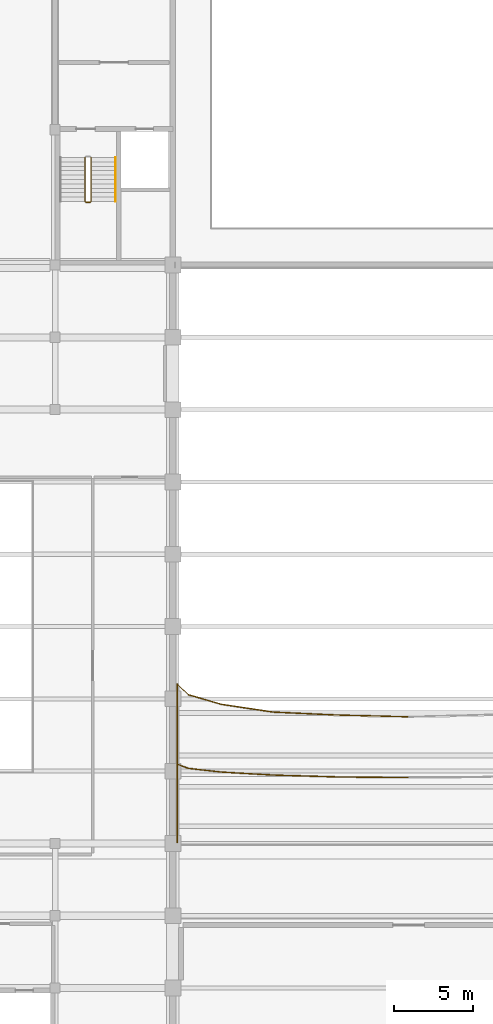
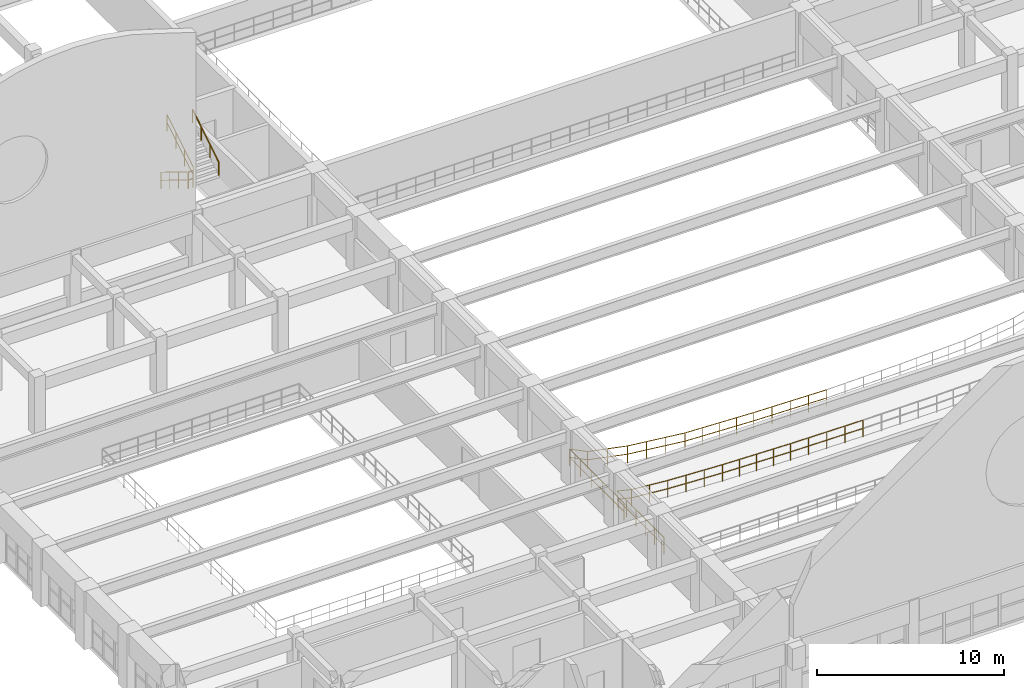
# One storey, part 66 of 74: 16 railings.
"""IFC4 building model written with IfcOpenShell, lengths in metres."""

from ifc_helpers import new_model, si_unit, direction, frame, origin, origin_2d, place, context, subcontext, project, spatial, circle, extrude, material, type_object, element, save


model = new_model("IFC4")

# Units and contexts
model_context = context("Model", 3, precision=1e-05, world=origin(), true_north=direction((0.0, 1.0)))
body_context = subcontext(model_context, "Body", "Model", "MODEL_VIEW")
ifc_project = project(units=[si_unit("LENGTHUNIT", "METRE"), si_unit("AREAUNIT", "SQUARE_METRE"), si_unit("VOLUMEUNIT", "CUBIC_METRE"), si_unit("PLANEANGLEUNIT", "RADIAN"), si_unit("MASSUNIT", "GRAM", prefix="KILO")], contexts=[model_context])

# Site, building, storey
site_placement = place(None, origin())
site = spatial("IfcSite", under=ifc_project, at=site_placement, CompositionType="ELEMENT")
building_placement = place(site_placement, origin())
building = spatial("IfcBuilding", under=site, at=building_placement, Name="Muzn Square Opera House", CompositionType="ELEMENT")
storey_placement = place(building_placement, frame((0.0, 0.0, 14.199951171875)))
storey = spatial("IfcBuildingStorey", under=building, at=storey_placement, Name="L03", CompositionType="ELEMENT", Elevation=14.199951171875)

# Railings
ifc_material_1 = material(Name="Architectural bronze mashrabiya", Category="metal")
railing_type_1 = type_object("IfcRailingType", Name="Bronze Protective Balustrade 1120mm", PredefinedType="BALUSTRADE", material=ifc_material_1)
railing_1_placement = place(storey_placement, frame((87.93994140625, 39.989990234375, 0.719970703125)))
element("IfcRailing", 1, at=railing_1_placement, inside=storey, type_object=railing_type_1, Name="Auditorium Balcony Tier Front Balustrade L03-0149", PredefinedType="BALUSTRADE", context=body_context, shape_type="SweptSolid", body=[
    extrude(circle(Radius=0.02392578125, at=origin_2d()), frame((0.0, 0.0, 1.09619140625), z_axis=(-0.999956517568, 0.009325394042, 0.0), x_axis=(-0.009325394042, -0.999956517568, 0.0)), (0.0, 0.0, 1.0), 4.45068359375),
    extrude(circle(Radius=0.02392578125, at=origin_2d()), frame((0.0, 0.0, 0.56005859375), z_axis=(-0.999956517568, 0.009325394042, 0.0), x_axis=(-0.009325394042, -0.999956517568, 0.0)), (0.0, 0.0, 1.0), 4.45068359375),
    extrude(circle(Radius=0.02099609375, at=origin_2d()), origin(), (0.0, 0.0, 1.0), 1.072021484375),
    extrude(circle(Radius=0.02099609375, at=origin_2d()), frame((-1.112548828125, 0.01025390625, 0.0)), (0.0, 0.0, 1.0), 1.072021484375),
    extrude(circle(Radius=0.02099609375, at=origin_2d()), frame((-2.22509765625, 0.020751953125, 0.0)), (0.0, 0.0, 1.0), 1.072021484375),
    extrude(circle(Radius=0.02099609375, at=origin_2d()), frame((-3.337890625, 0.03125, 0.0)), (0.0, 0.0, 1.0), 1.072021484375),
    extrude(circle(Radius=0.02099609375, at=origin_2d()), frame((-4.450439453125, 0.04150390625, 0.0)), (0.0, 0.0, 1.0), 1.072021484375),
])
railing_2_placement = place(storey_placement, frame((83.489501953125, 40.031494140625, 0.719970703125)))
element("IfcRailing", 2, at=railing_2_placement, inside=storey, type_object=railing_type_1, Name="Auditorium Balcony Tier Front Balustrade L03-0150", PredefinedType="BALUSTRADE", context=body_context, shape_type="SweptSolid", body=[
    extrude(circle(Radius=0.02392578125, at=origin_2d()), frame((0.0, 0.0, 1.09619140625), z_axis=(-0.999570665648, 0.029299904038, 0.0), x_axis=(-0.029299904038, -0.999570665648, 0.0)), (0.0, 0.0, 1.0), 4.12451171875),
    extrude(circle(Radius=0.02392578125, at=origin_2d()), frame((0.0, 0.0, 0.56005859375), z_axis=(-0.999570665648, 0.029299904038, 0.0), x_axis=(-0.029299904038, -0.999570665648, 0.0)), (0.0, 0.0, 1.0), 4.12451171875),
    extrude(circle(Radius=0.02099609375, at=origin_2d()), origin(), (0.0, 0.0, 1.0), 1.072021484375),
    extrude(circle(Radius=0.02099609375, at=origin_2d()), frame((-1.03076171875, 0.0302734375, 0.0)), (0.0, 0.0, 1.0), 1.072021484375),
    extrude(circle(Radius=0.02099609375, at=origin_2d()), frame((-2.0615234375, 0.060546875, 0.0)), (0.0, 0.0, 1.0), 1.072021484375),
    extrude(circle(Radius=0.02099609375, at=origin_2d()), frame((-3.092041015625, 0.090576171875, 0.0)), (0.0, 0.0, 1.0), 1.072021484375),
    extrude(circle(Radius=0.02099609375, at=origin_2d()), frame((-4.122802734375, 0.120849609375, 0.0)), (0.0, 0.0, 1.0), 1.072021484375),
])
railing_3_placement = place(storey_placement, frame((79.36669921875, 40.15234375, 0.719970703125)))
element("IfcRailing", 3, at=railing_3_placement, inside=storey, type_object=railing_type_1, Name="Auditorium Balcony Tier Front Balustrade L03-0151", PredefinedType="BALUSTRADE", context=body_context, shape_type="SweptSolid", body=[
    extrude(circle(Radius=0.02392578125, at=origin_2d()), frame((0.0, 0.0, 1.09619140625), z_axis=(-0.998353832564, 0.057355252636, 0.0), x_axis=(-0.057355252636, -0.998353832564, 0.0)), (0.0, 0.0, 1.0), 3.277587890625),
    extrude(circle(Radius=0.02392578125, at=origin_2d()), frame((0.0, 0.0, 0.56005859375), z_axis=(-0.998353832564, 0.057355252636, 0.0), x_axis=(-0.057355252636, -0.998353832564, 0.0)), (0.0, 0.0, 1.0), 3.277587890625),
    extrude(circle(Radius=0.02099609375, at=origin_2d()), origin(), (0.0, 0.0, 1.0), 1.072021484375),
    extrude(circle(Radius=0.02099609375, at=origin_2d()), frame((-1.0908203125, 0.062744140625, 0.0)), (0.0, 0.0, 1.0), 1.072021484375),
    extrude(circle(Radius=0.02099609375, at=origin_2d()), frame((-2.181396484375, 0.125244140625, 0.0)), (0.0, 0.0, 1.0), 1.072021484375),
    extrude(circle(Radius=0.02099609375, at=origin_2d()), frame((-3.272216796875, 0.18798828125, 0.0)), (0.0, 0.0, 1.0), 1.072021484375),
])
railing_4_placement = place(storey_placement, frame((76.094482421875, 40.34033203125, 0.719970703125)))
element("IfcRailing", 4, at=railing_4_placement, inside=storey, type_object=railing_type_1, Name="Auditorium Balcony Tier Front Balustrade L03-0152", PredefinedType="BALUSTRADE", context=body_context, shape_type="SweptSolid", body=[
    extrude(circle(Radius=0.02392578125, at=origin_2d()), frame((0.0, 0.0, 1.09619140625), z_axis=(-0.993692122403, 0.112142614, 0.0), x_axis=(-0.112142614, -0.993692122403, 0.0)), (0.0, 0.0, 1.0), 2.114013671875),
    extrude(circle(Radius=0.02392578125, at=origin_2d()), frame((0.0, 0.0, 0.56005859375), z_axis=(-0.993692122403, 0.112142614, 0.0), x_axis=(-0.112142614, -0.993692122403, 0.0)), (0.0, 0.0, 1.0), 2.114013671875),
    extrude(circle(Radius=0.02099609375, at=origin_2d()), origin(), (0.0, 0.0, 1.0), 1.072021484375),
    extrude(circle(Radius=0.02099609375, at=origin_2d()), frame((-1.05029296875, 0.11865234375, 0.0)), (0.0, 0.0, 1.0), 1.072021484375),
    extrude(circle(Radius=0.02099609375, at=origin_2d()), frame((-2.1005859375, 0.237060546875, 0.0)), (0.0, 0.0, 1.0), 1.072021484375),
])
railing_5_placement = place(storey_placement, frame((73.993896484375, 40.577392578125, 0.719970703125)))
element("IfcRailing", 5, at=railing_5_placement, inside=storey, type_object=railing_type_1, Name="Auditorium Balcony Tier Front Balustrade L03-0153", PredefinedType="BALUSTRADE", context=body_context, shape_type="SweptSolid", body=[
    extrude(circle(Radius=0.02392578125, at=origin_2d()), frame((0.0, 0.0, 1.09619140625), z_axis=(-0.940015382387, 0.341132057824, 0.0), x_axis=(-0.341132057824, -0.940015382387, 0.0)), (0.0, 0.0, 1.0), 0.77001953125),
    extrude(circle(Radius=0.02392578125, at=origin_2d()), frame((0.0, 0.0, 0.56005859375), z_axis=(-0.940015382387, 0.341132057824, 0.0), x_axis=(-0.341132057824, -0.940015382387, 0.0)), (0.0, 0.0, 1.0), 0.77001953125),
    extrude(circle(Radius=0.02099609375, at=origin_2d()), origin(), (0.0, 0.0, 1.0), 1.072021484375),
    extrude(circle(Radius=0.02099609375, at=origin_2d()), frame((-0.723876953125, 0.2626953125, 0.0)), (0.0, 0.0, 1.0), 1.072021484375),
])
railing_6_placement = place(storey_placement, frame((73.27001953125, 40.840087890625, 0.719970703125)))
element("IfcRailing", 6, at=railing_6_placement, inside=storey, type_object=railing_type_1, Name="Auditorium Balcony Tier Front Balustrade L03-0154", PredefinedType="BALUSTRADE", context=body_context, shape_type="SweptSolid", body=[
    extrude(circle(Radius=0.02392578125, at=origin_2d()), frame((0.0, 0.0, 1.09619140625), z_axis=(0.0, -1.0, 0.0), x_axis=(1.0, 0.0, 0.0)), (0.0, 0.0, 1.0), 4.97998046875),
    extrude(circle(Radius=0.02392578125, at=origin_2d()), frame((0.0, 0.0, 0.56005859375), z_axis=(0.0, -1.0, 0.0), x_axis=(1.0, 0.0, 0.0)), (0.0, 0.0, 1.0), 4.97998046875),
    extrude(circle(Radius=0.02099609375, at=origin_2d()), origin(), (0.0, 0.0, 1.0), 1.072021484375),
    extrude(circle(Radius=0.02099609375, at=origin_2d()), frame((0.0, -0.99609375, 0.0)), (0.0, 0.0, 1.0), 1.072021484375),
    extrude(circle(Radius=0.02099609375, at=origin_2d()), frame((0.0, -1.991943359375, 0.0)), (0.0, 0.0, 1.0), 1.072021484375),
    extrude(circle(Radius=0.02099609375, at=origin_2d()), frame((0.0, -2.988037109375, 0.0)), (0.0, 0.0, 1.0), 1.072021484375),
    extrude(circle(Radius=0.02099609375, at=origin_2d()), frame((0.0, -3.98388671875, 0.0)), (0.0, 0.0, 1.0), 1.072021484375),
    extrude(circle(Radius=0.02099609375, at=origin_2d()), frame((0.0, -4.97998046875, 0.0)), (0.0, 0.0, 1.0), 1.072021484375),
])
railing_7_placement = place(storey_placement, frame((87.93994140625, 43.860107421875, 0.360107421875)))
element("IfcRailing", 7, at=railing_7_placement, inside=storey, type_object=railing_type_1, Name="Auditorium Balcony Tier Front Balustrade L03-0161", PredefinedType="BALUSTRADE", context=body_context, shape_type="SweptSolid", body=[
    extrude(circle(Radius=0.02392578125, at=origin_2d()), frame((0.0, 0.0, 1.09619140625), z_axis=(-0.999707496604, 0.024185144879, 0.0), x_axis=(-0.024185144879, -0.999707496604, 0.0)), (0.0, 0.0, 1.0), 4.45166015625),
    extrude(circle(Radius=0.02392578125, at=origin_2d()), frame((0.0, 0.0, 0.56005859375), z_axis=(-0.999707496604, 0.024185144879, 0.0), x_axis=(-0.024185144879, -0.999707496604, 0.0)), (0.0, 0.0, 1.0), 4.45166015625),
    extrude(circle(Radius=0.02099609375, at=origin_2d()), origin(), (0.0, 0.0, 1.0), 1.072021484375),
    extrude(circle(Radius=0.02099609375, at=origin_2d()), frame((-1.112548828125, 0.02685546875, 0.0)), (0.0, 0.0, 1.0), 1.072021484375),
    extrude(circle(Radius=0.02099609375, at=origin_2d()), frame((-2.22509765625, 0.0537109375, 0.0)), (0.0, 0.0, 1.0), 1.072021484375),
    extrude(circle(Radius=0.02099609375, at=origin_2d()), frame((-3.337890625, 0.080810546875, 0.0)), (0.0, 0.0, 1.0), 1.072021484375),
    extrude(circle(Radius=0.02099609375, at=origin_2d()), frame((-4.450439453125, 0.107666015625, 0.0)), (0.0, 0.0, 1.0), 1.072021484375),
])
railing_8_placement = place(storey_placement, frame((83.489501953125, 43.9677734375, 0.360107421875)))
element("IfcRailing", 8, at=railing_8_placement, inside=storey, type_object=railing_type_1, Name="Auditorium Balcony Tier Front Balustrade L03-0162", PredefinedType="BALUSTRADE", context=body_context, shape_type="SweptSolid", body=[
    extrude(circle(Radius=0.02392578125, at=origin_2d()), frame((0.0, 0.0, 1.09619140625), z_axis=(-0.99891305167, 0.046612393244, 0.0), x_axis=(-0.046612393244, -0.99891305167, 0.0)), (0.0, 0.0, 1.0), 4.127197265625),
    extrude(circle(Radius=0.02392578125, at=origin_2d()), frame((0.0, 0.0, 0.56005859375), z_axis=(-0.99891305167, 0.046612393244, 0.0), x_axis=(-0.046612393244, -0.99891305167, 0.0)), (0.0, 0.0, 1.0), 4.127197265625),
    extrude(circle(Radius=0.02099609375, at=origin_2d()), origin(), (0.0, 0.0, 1.0), 1.072021484375),
    extrude(circle(Radius=0.02099609375, at=origin_2d()), frame((-1.03076171875, 0.048095703125, 0.0)), (0.0, 0.0, 1.0), 1.072021484375),
    extrude(circle(Radius=0.02099609375, at=origin_2d()), frame((-2.0615234375, 0.09619140625, 0.0)), (0.0, 0.0, 1.0), 1.072021484375),
    extrude(circle(Radius=0.02099609375, at=origin_2d()), frame((-3.092041015625, 0.144287109375, 0.0)), (0.0, 0.0, 1.0), 1.072021484375),
    extrude(circle(Radius=0.02099609375, at=origin_2d()), frame((-4.122802734375, 0.1923828125, 0.0)), (0.0, 0.0, 1.0), 1.072021484375),
])
railing_9_placement = place(storey_placement, frame((79.36669921875, 44.16015625, 0.360107421875)))
element("IfcRailing", 9, at=railing_9_placement, inside=storey, type_object=railing_type_1, Name="Auditorium Balcony Tier Front Balustrade L03-0163", PredefinedType="BALUSTRADE", context=body_context, shape_type="SweptSolid", body=[
    extrude(circle(Radius=0.02392578125, at=origin_2d()), frame((0.0, 0.0, 1.09619140625), z_axis=(-0.989113729581, 0.147153083398, 0.0), x_axis=(-0.147153083398, -0.989113729581, 0.0)), (0.0, 0.0, 1.0), 3.308349609375),
    extrude(circle(Radius=0.02392578125, at=origin_2d()), frame((0.0, 0.0, 0.56005859375), z_axis=(-0.989113729581, 0.147153083398, 0.0), x_axis=(-0.147153083398, -0.989113729581, 0.0)), (0.0, 0.0, 1.0), 3.308349609375),
    extrude(circle(Radius=0.02099609375, at=origin_2d()), origin(), (0.0, 0.0, 1.0), 1.072021484375),
    extrude(circle(Radius=0.02099609375, at=origin_2d()), frame((-1.0908203125, 0.162353515625, 0.0)), (0.0, 0.0, 1.0), 1.072021484375),
    extrude(circle(Radius=0.02099609375, at=origin_2d()), frame((-2.181396484375, 0.324462890625, 0.0)), (0.0, 0.0, 1.0), 1.072021484375),
    extrude(circle(Radius=0.02099609375, at=origin_2d()), frame((-3.272216796875, 0.48681640625, 0.0)), (0.0, 0.0, 1.0), 1.072021484375),
])
railing_10_placement = place(storey_placement, frame((76.094482421875, 44.64697265625, 0.360107421875)))
element("IfcRailing", 10, at=railing_10_placement, inside=storey, type_object=railing_type_1, Name="Auditorium Balcony Tier Front Balustrade L03-0164", PredefinedType="BALUSTRADE", context=body_context, shape_type="SweptSolid", body=[
    extrude(circle(Radius=0.02392578125, at=origin_2d()), frame((0.0, 0.0, 1.09619140625), z_axis=(-0.959924992365, 0.280257041007, 0.0), x_axis=(-0.280257041007, -0.959924992365, 0.0)), (0.0, 0.0, 1.0), 2.188232421875),
    extrude(circle(Radius=0.02392578125, at=origin_2d()), frame((0.0, 0.0, 0.56005859375), z_axis=(-0.959924992365, 0.280257041007, 0.0), x_axis=(-0.280257041007, -0.959924992365, 0.0)), (0.0, 0.0, 1.0), 2.188232421875),
    extrude(circle(Radius=0.02099609375, at=origin_2d()), origin(), (0.0, 0.0, 1.0), 1.072021484375),
    extrude(circle(Radius=0.02099609375, at=origin_2d()), frame((-1.05029296875, 0.306640625, 0.0)), (0.0, 0.0, 1.0), 1.072021484375),
    extrude(circle(Radius=0.02099609375, at=origin_2d()), frame((-2.1005859375, 0.61328125, 0.0)), (0.0, 0.0, 1.0), 1.072021484375),
])
railing_11_placement = place(storey_placement, frame((73.993896484375, 45.26025390625, 0.360107421875)))
element("IfcRailing", 11, at=railing_11_placement, inside=storey, type_object=railing_type_1, Name="Auditorium Balcony Tier Front Balustrade L03-0165", PredefinedType="BALUSTRADE", context=body_context, shape_type="SweptSolid", body=[
    extrude(circle(Radius=0.02392578125, at=origin_2d()), frame((0.0, 0.0, 1.09619140625), z_axis=(-0.729007928433, 0.684505252195, 0.0), x_axis=(-0.684505252195, -0.729007928433, 0.0)), (0.0, 0.0, 1.0), 0.992919921875),
    extrude(circle(Radius=0.02392578125, at=origin_2d()), frame((0.0, 0.0, 0.56005859375), z_axis=(-0.729007928433, 0.684505252195, 0.0), x_axis=(-0.684505252195, -0.729007928433, 0.0)), (0.0, 0.0, 1.0), 0.992919921875),
    extrude(circle(Radius=0.02099609375, at=origin_2d()), origin(), (0.0, 0.0, 1.0), 1.072021484375),
    extrude(circle(Radius=0.02099609375, at=origin_2d()), frame((-0.723876953125, 0.6796875, 0.0)), (0.0, 0.0, 1.0), 1.072021484375),
])
railing_12_placement = place(storey_placement, frame((73.27001953125, 45.93994140625, 0.360107421875)))
element("IfcRailing", 12, at=railing_12_placement, inside=storey, type_object=railing_type_1, Name="Auditorium Balcony Tier Front Balustrade L03-0166", PredefinedType="BALUSTRADE", context=body_context, shape_type="SweptSolid", body=[
    extrude(circle(Radius=0.02392578125, at=origin_2d()), frame((0.0, 0.0, 1.09619140625), z_axis=(0.0, -1.0, 0.0), x_axis=(1.0, 0.0, 0.0)), (0.0, 0.0, 1.0), 5.829833984375),
    extrude(circle(Radius=0.02392578125, at=origin_2d()), frame((0.0, 0.0, 0.56005859375), z_axis=(0.0, -1.0, 0.0), x_axis=(1.0, 0.0, 0.0)), (0.0, 0.0, 1.0), 5.829833984375),
    extrude(circle(Radius=0.02099609375, at=origin_2d()), origin(), (0.0, 0.0, 1.0), 1.072021484375),
    extrude(circle(Radius=0.02099609375, at=origin_2d()), frame((0.0, -1.166015625, 0.0)), (0.0, 0.0, 1.0), 1.072021484375),
    extrude(circle(Radius=0.02099609375, at=origin_2d()), frame((0.0, -2.33203125, 0.0)), (0.0, 0.0, 1.0), 1.072021484375),
    extrude(circle(Radius=0.02099609375, at=origin_2d()), frame((0.0, -3.497802734375, 0.0)), (0.0, 0.0, 1.0), 1.072021484375),
    extrude(circle(Radius=0.02099609375, at=origin_2d()), frame((0.0, -4.663818359375, 0.0)), (0.0, 0.0, 1.0), 1.072021484375),
    extrude(circle(Radius=0.02099609375, at=origin_2d()), frame((0.0, -5.829833984375, 0.0)), (0.0, 0.0, 1.0), 1.072021484375),
])
ifc_material_2 = material(Name="Brushed stainless steel", Category="metal")
railing_type_2 = type_object("IfcRailingType", Name="Stair Guard Railing 1120mm", PredefinedType="GUARDRAIL", material=ifc_material_2)
railing_13_placement = place(storey_placement, frame((67.409912109375, 79.43994140625, 0.1728515625)))
element("IfcRailing", 13, at=railing_13_placement, inside=storey, type_object=railing_type_2, Name="L03 ST-1 stair guard 1", PredefinedType="GUARDRAIL", context=body_context, shape_type="SweptSolid", body=[
    extrude(circle(Radius=0.02392578125, at=origin_2d()), frame((0.0, 0.0, 1.076171875), z_axis=(0.0, -0.851089632645, 0.525020415988), x_axis=(1.0, 0.0, 0.0)), (0.0, 0.0, 1.0), 3.2900390625),
    extrude(circle(Radius=0.02392578125, at=origin_2d()), frame((0.0, 0.0, 0.550048828125), z_axis=(0.0, -0.851089632645, 0.525020415988), x_axis=(1.0, 0.0, 0.0)), (0.0, 0.0, 1.0), 3.2900390625),
    extrude(circle(Radius=0.02099609375, at=origin_2d()), origin(), (0.0, 0.0, 1.0), 1.052001953125),
    extrude(circle(Radius=0.02099609375, at=origin_2d()), frame((0.0, -0.933349609375, 0.57568359375)), (0.0, 0.0, 1.0), 1.052001953125),
    extrude(circle(Radius=0.02099609375, at=origin_2d()), frame((0.0, -1.86669921875, 1.151611328125)), (0.0, 0.0, 1.0), 1.052001953125),
    extrude(circle(Radius=0.02099609375, at=origin_2d()), frame((0.0, -2.800048828125, 1.727294921875)), (0.0, 0.0, 1.0), 1.052001953125),
])
railing_14_placement = place(storey_placement, frame((67.4599609375, 76.590087890625, 1.900146484375)))
element("IfcRailing", 14, at=railing_14_placement, inside=storey, type_object=railing_type_2, Name="L03 ST-1 stair guard 2", PredefinedType="GUARDRAIL", context=body_context, shape_type="SweptSolid", body=[
    extrude(circle(Radius=0.02392578125, at=origin_2d()), frame((0.0, 0.0, 1.076171875), z_axis=(1.0, 0.0, 0.0), x_axis=(0.0, 1.0, 0.0)), (0.0, 0.0, 1.0), 0.280029296875),
    extrude(circle(Radius=0.02392578125, at=origin_2d()), frame((0.0, 0.0, 0.550048828125), z_axis=(1.0, 0.0, 0.0), x_axis=(0.0, 1.0, 0.0)), (0.0, 0.0, 1.0), 0.280029296875),
    extrude(circle(Radius=0.02099609375, at=origin_2d()), origin(), (0.0, 0.0, 1.0), 1.052001953125),
    extrude(circle(Radius=0.02099609375, at=origin_2d()), frame((0.280029296875, 0.0, 0.0)), (0.0, 0.0, 1.0), 1.052001953125),
])
railing_15_placement = place(storey_placement, frame((67.7900390625, 76.639892578125, 2.07275390625)))
element("IfcRailing", 15, at=railing_15_placement, inside=storey, type_object=railing_type_2, Name="L03 ST-1 stair guard 3", PredefinedType="GUARDRAIL", context=body_context, shape_type="SweptSolid", body=[
    extrude(circle(Radius=0.02392578125, at=origin_2d()), frame((0.0, 0.0, 1.076171875), z_axis=(0.0, 0.851089632645, 0.525020415988), x_axis=(-1.0, 0.0, 0.0)), (0.0, 0.0, 1.0), 3.2900390625),
    extrude(circle(Radius=0.02392578125, at=origin_2d()), frame((0.0, 0.0, 0.550048828125), z_axis=(0.0, 0.851089632645, 0.525020415988), x_axis=(-1.0, 0.0, 0.0)), (0.0, 0.0, 1.0), 3.2900390625),
    extrude(circle(Radius=0.02099609375, at=origin_2d()), origin(), (0.0, 0.0, 1.0), 1.052001953125),
    extrude(circle(Radius=0.02099609375, at=origin_2d()), frame((0.0, 0.933349609375, 0.57568359375)), (0.0, 0.0, 1.0), 1.052001953125),
    extrude(circle(Radius=0.02099609375, at=origin_2d()), frame((0.0, 1.86669921875, 1.151611328125)), (0.0, 0.0, 1.0), 1.052001953125),
    extrude(circle(Radius=0.02099609375, at=origin_2d()), frame((0.0, 2.800048828125, 1.727294921875)), (0.0, 0.0, 1.0), 1.052001953125),
])
railing_type_3 = type_object("IfcRailingType", Name="Stair Pitch Handrail 900mm", PredefinedType="HANDRAIL", material=ifc_material_2)
railing_16_placement = place(storey_placement, frame((69.35009765625, 76.639892578125, 2.07275390625)))
element("IfcRailing", 16, at=railing_16_placement, inside=storey, type_object=railing_type_3, Name="L03 ST-1 stair handrail 2", PredefinedType="HANDRAIL", context=body_context, shape_type="SweptSolid", body=[
    extrude(circle(Radius=0.02392578125, at=origin_2d()), frame((0.0, 0.0, 0.8759765625), z_axis=(0.0, 0.851089632645, 0.525020415988), x_axis=(-1.0, 0.0, 0.0)), (0.0, 0.0, 1.0), 3.2900390625),
    extrude(circle(Radius=0.02099609375, at=origin_2d()), origin(), (0.0, 0.0, 1.0), 0.851806640625),
    extrude(circle(Radius=0.02099609375, at=origin_2d()), frame((0.0, 0.933349609375, 0.57568359375)), (0.0, 0.0, 1.0), 0.851806640625),
    extrude(circle(Radius=0.02099609375, at=origin_2d()), frame((0.0, 1.86669921875, 1.151611328125)), (0.0, 0.0, 1.0), 0.851806640625),
    extrude(circle(Radius=0.02099609375, at=origin_2d()), frame((0.0, 2.800048828125, 1.727294921875)), (0.0, 0.0, 1.0), 0.851806640625),
])

save(model, "model.ifc")
